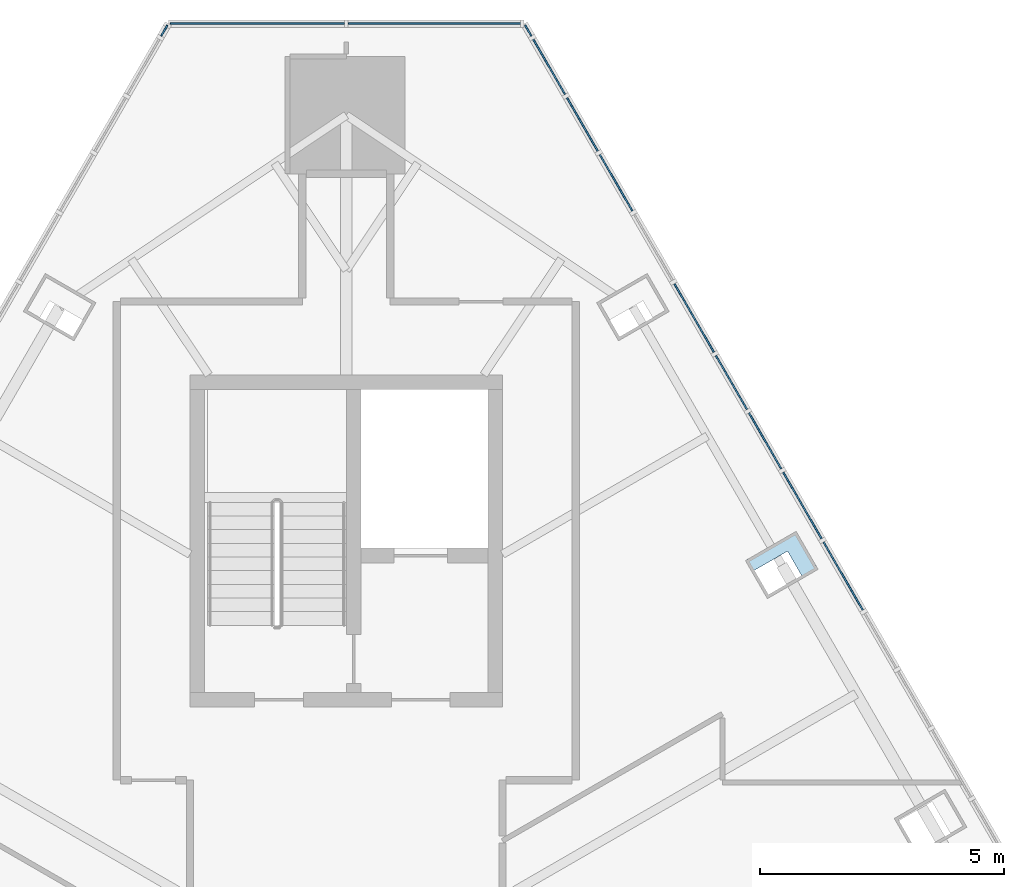
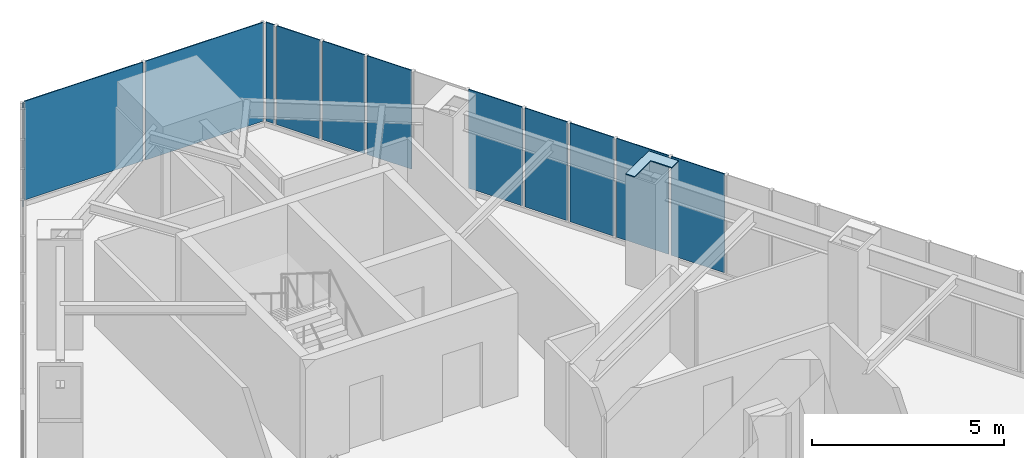
# One storey, part 14 of 20: 13 plates, 3 elements without a shape of their own.
"""IFC4 building model written with IfcOpenShell, lengths in metres."""

from ifc_helpers import new_model, si_unit, direction, frame, origin, place, context, subcontext, project, spatial, polyline, outline, extrude, material, layer, layer_set, type_object, element, aggregate, save


model = new_model("IFC4")

# Units and contexts
model_context = context("Model", 3, precision=1e-05, world=origin(), true_north=direction((0.0, 1.0)))
body_context = subcontext(model_context, "Body", "Model", "MODEL_VIEW")
ifc_project = project(units=[si_unit("LENGTHUNIT", "METRE"), si_unit("AREAUNIT", "SQUARE_METRE"), si_unit("VOLUMEUNIT", "CUBIC_METRE"), si_unit("PLANEANGLEUNIT", "RADIAN"), si_unit("MASSUNIT", "GRAM", prefix="KILO")], contexts=[model_context])

# Site, building, storey
site_placement = place(None, origin())
site = spatial("IfcSite", under=ifc_project, at=site_placement, CompositionType="ELEMENT")
building_placement = place(site_placement, origin())
building = spatial("IfcBuilding", under=site, at=building_placement, Name="Firuza Gate Tower and Library", CompositionType="ELEMENT")
storey_placement = place(building_placement, frame((0.0, 0.0, 305.60009765625)))
storey = spatial("IfcBuildingStorey", under=building, at=storey_placement, Name="L74", CompositionType="ELEMENT", Elevation=305.60009765625)

# Plate
ifc_material_1 = material(Name="Steel S355", Category="steel")
ifc_layer_1 = layer(ifc_material_1, 0.030029296875)
ifc_layer_set_1 = layer_set([ifc_layer_1], Name="Column infill plate 30 Steel S355")
plate_type_1 = type_object("IfcPlateType", Name="Column infill plate 30 Steel S355", PredefinedType="SHEET", material=ifc_layer_set_1)
plate_1_placement = place(storey_placement, frame((0.0, 0.0, 3.5)))
element("IfcPlate", 1, at=plate_1_placement, inside=storey, type_object=plate_type_1, Name="Infill plate L74:E5", PredefinedType="SHEET", context=body_context, shape_type="SweptSolid", body=[
    extrude(outline(polyline([(83.171875, 90.79638671875), (83.303955078125, 90.567626953125), (84.03515625, 90.98974609375), (84.353271484375, 90.43896484375), (84.6611328125, 90.616943359375), (84.211181640625, 91.396240234375), (83.171875, 90.79638671875)])), origin(), (0.0, 0.0, 1.0), 0.02978515625),
])

# Curtain wall, plates
ifc_material_2 = material(Name="Aluminium 6063-T6", Category="aluminium")
ifc_layer_2 = layer(ifc_material_2, 0.14990234375)
ifc_layer_set_2 = layer_set([ifc_layer_2], Name="Corner curtain wall, chamfers")
curtain_wall_type_1 = type_object("IfcCurtainWallType", Name="Corner curtain wall, chamfers", PredefinedType="NOTDEFINED", material=ifc_layer_set_2)
placement = place(storey_placement, origin())
curtain_wall_1 = element("IfcCurtainWall", 2, at=placement, inside=storey, type_object=curtain_wall_type_1, Name="CW4 L74 N corner", PredefinedType="NOTDEFINED")
ifc_material_3 = material(Name="Fritted glass", Category="glass")
ifc_layer_3 = layer(ifc_material_3, 0.030029296875)
ifc_layer_set_3 = layer_set([ifc_layer_3], Name="Fritted glass unit, corners")
plate_type_2 = type_object("IfcPlateType", Name="Fritted glass unit, corners", PredefinedType="CURTAIN_PANEL", material=ifc_layer_set_3)
plate_2_placement = place(storey_placement, frame((78.603271484375, 101.80517578125, 0.14990234375), z_axis=(0.0, 1.0, 0.0), x_axis=(-1.0, 0.0, 0.0)))
plate_2 = element("IfcPlate", 3, at=plate_2_placement, type_object=plate_type_2, Name="Glass unit", PredefinedType="CURTAIN_PANEL", context=body_context, shape_type="SweptSolid", body=[
    extrude(outline(polyline([(0.0, 0.0), (3.563232421875, 0.0), (3.563232421875, 3.14990234375), (0.0, 3.14990234375), (0.0, 0.0)])), origin(), (0.0, 0.0, -1.0), 0.030029296875),
])
plate_3_placement = place(storey_placement, frame((74.9599609375, 101.80517578125, 0.14990234375), z_axis=(0.0, 1.0, 0.0), x_axis=(-1.0, 0.0, 0.0)))
plate_3 = element("IfcPlate", 4, at=plate_3_placement, type_object=plate_type_2, Name="Glass unit", PredefinedType="CURTAIN_PANEL", context=body_context, shape_type="SweptSolid", body=[
    extrude(outline(polyline([(0.0, 0.0), (3.563232421875, 0.0), (3.563232421875, 3.14990234375), (0.0, 3.14990234375), (0.0, 0.0)])), origin(), (0.0, 0.0, -1.0), 0.030029296875),
])
aggregate(curtain_wall_1, [plate_2, plate_3])

ifc_material_4 = material(Name="Aluminium 6063-T6", Category="aluminium")
ifc_layer_4 = layer(ifc_material_4, 0.14990234375)
ifc_layer_set_4 = layer_set([ifc_layer_4], Name="Unitised curtain wall, residences")
curtain_wall_type_2 = type_object("IfcCurtainWallType", Name="Unitised curtain wall, residences", PredefinedType="NOTDEFINED", material=ifc_layer_set_4)
curtain_wall_2 = element("IfcCurtainWall", 5, at=placement, inside=storey, type_object=curtain_wall_type_2, Name="CW3 L74 E face", PredefinedType="NOTDEFINED")
ifc_material_5 = material(Name="Fritted glass", Category="glass")
ifc_layer_5 = layer(ifc_material_5, 0.030029296875)
ifc_layer_set_5 = layer_set([ifc_layer_5], Name="Fritted glass unit, residences")
plate_type_3 = type_object("IfcPlateType", Name="Fritted glass unit, residences", PredefinedType="CURTAIN_PANEL", material=ifc_layer_set_5)
plate_4_placement = place(storey_placement, frame((85.588623046875, 89.79052734375, 0.14990234375), z_axis=(0.866038942563, 0.499976549414, 0.0), x_axis=(-0.499976549414, 0.866038942563, 0.0)))
plate_4 = element("IfcPlate", 6, at=plate_4_placement, type_object=plate_type_3, Name="Glass unit", PredefinedType="CURTAIN_PANEL", context=body_context, shape_type="SweptSolid", body=[
    extrude(outline(polyline([(0.0, 0.0), (1.6079855726565118, 0.0), (1.6079855726565118, 3.14990234375), (0.0, 3.14990234375), (0.0, 0.0)])), origin(), (0.0, 0.0, -1.0), 0.030029296875),
])
plate_5_placement = place(storey_placement, frame((84.74462890625, 91.252197265625, 0.14990234375), z_axis=(0.866025114386, 0.500000501253, 0.0), x_axis=(-0.500000501253, 0.866025114386, 0.0)))
plate_5 = element("IfcPlate", 7, at=plate_5_placement, type_object=plate_type_3, Name="Glass unit", PredefinedType="CURTAIN_PANEL", context=body_context, shape_type="SweptSolid", body=[
    extrude(outline(polyline([(0.0, 0.0), (1.5707992065156178, 0.0), (1.5707992065156178, 3.14990234375), (0.0, 3.14990234375), (0.0, 0.0)])), origin(), (0.0, 0.0, -1.0), 0.030029296875),
])
plate_6_placement = place(storey_placement, frame((82.54052734375, 95.06982421875, 0.14990234375), z_axis=(0.866027491634, 0.499996383721, 0.0), x_axis=(-0.499996383721, 0.866027491634, 0.0)))
plate_6 = element("IfcPlate", 8, at=plate_6_placement, type_object=plate_type_3, Name="Glass unit", PredefinedType="CURTAIN_PANEL", context=body_context, shape_type="SweptSolid", body=[
    extrude(outline(polyline([(0.0, 0.0), (1.6201289051774963, 0.0), (1.6201289051774963, 3.14990234375), (0.0, 3.14990234375), (0.0, 0.0)])), origin(), (0.0, 0.0, -1.0), 0.030029296875),
])
plate_7_placement = place(storey_placement, frame((79.49267578125, 100.34912109375, 0.14990234375), z_axis=(0.865995042048, 0.500052584384, 0.0), x_axis=(-0.500052584384, 0.865995042048, 0.0)))
plate_7 = element("IfcPlate", 9, at=plate_7_placement, type_object=plate_type_3, Name="Glass unit", PredefinedType="CURTAIN_PANEL", context=body_context, shape_type="SweptSolid", body=[
    extrude(outline(polyline([(0.0, 0.0), (1.3016209226321132, 0.0), (1.3016209226321132, 3.14990234375), (0.0, 3.14990234375), (0.0, 0.0)])), origin(), (0.0, 0.0, -1.0), 0.030029296875),
])
ifc_material_6 = material(Name="Glazed ceramic tile")
ifc_layer_6 = layer(ifc_material_6, 0.030029296875)
ifc_layer_set_6 = layer_set([ifc_layer_6], Name="Opaque ceramic panel, residences")
plate_type_4 = type_object("IfcPlateType", Name="Opaque ceramic panel, residences", PredefinedType="CURTAIN_PANEL", material=ifc_layer_set_6)
plate_8_placement = place(storey_placement, frame((83.919189453125, 92.681884765625, 0.14990234375), z_axis=(0.866078079006, 0.499908752739, 0.0), x_axis=(-0.499908752739, 0.866078079006, 0.0)))
plate_8 = element("IfcPlate", 10, at=plate_8_placement, type_object=plate_type_4, Name="Opaque ceramic panel", PredefinedType="CURTAIN_PANEL", context=body_context, shape_type="SweptSolid", body=[
    extrude(outline(polyline([(0.0, 0.0), (1.3234837160294044, 0.0), (1.3234837160294044, 3.14990234375), (0.0, 3.14990234375), (0.0, 0.0)])), origin(), (0.0, 0.0, -1.0), 0.030029296875),
])
plate_9_placement = place(storey_placement, frame((83.217529296875, 93.897216796875, 0.14990234375), z_axis=(0.866029209911, 0.499993407537, 0.0), x_axis=(-0.499993407537, 0.866029209911, 0.0)))
plate_9 = element("IfcPlate", 11, at=plate_9_placement, type_object=plate_type_4, Name="Opaque ceramic panel", PredefinedType="CURTAIN_PANEL", context=body_context, shape_type="SweptSolid", body=[
    extrude(outline(polyline([(0.0, 0.0), (1.2739425780891271, 0.0), (1.2739425780891271, 3.149902343750001), (0.0, 3.149902343750001), (0.0, 0.0)])), origin(), (0.0, 0.0, -1.0), 0.030029296875),
])
plate_10_placement = place(storey_placement, frame((80.871337890625, 97.961181640625, 0.14990234375), z_axis=(0.865984687501, 0.500070516041, 0.0), x_axis=(-0.500070516041, 0.865984687501, 0.0)))
plate_10 = element("IfcPlate", 12, at=plate_10_placement, type_object=plate_type_4, Name="Opaque ceramic panel", PredefinedType="CURTAIN_PANEL", context=body_context, shape_type="SweptSolid", body=[
    extrude(outline(polyline([(0.0, 0.0), (1.335749116520676, 0.0), (1.335749116520676, 3.14990234375), (0.0, 3.14990234375), (0.0, 0.0)])), origin(), (0.0, 0.0, -1.0), 0.030029296875),
])
plate_11_placement = place(storey_placement, frame((80.163330078125, 99.187255859375, 0.14990234375), z_axis=(0.86607923909, 0.499906742921, 0.0), x_axis=(-0.499906742921, 0.86607923909, 0.0)))
plate_11 = element("IfcPlate", 13, at=plate_11_placement, type_object=plate_type_4, Name="Opaque ceramic panel", PredefinedType="CURTAIN_PANEL", context=body_context, shape_type="SweptSolid", body=[
    extrude(outline(polyline([(0.0, 0.0), (1.2614657499734259, 0.0), (1.2614657499734259, 3.14990234375), (0.0, 3.14990234375), (0.0, 0.0)])), origin(), (0.0, 0.0, -1.0), 0.030029296875),
])
plate_12_placement = place(storey_placement, frame((78.802001953125, 101.54541015625, 0.14990234375), z_axis=(0.865780878536, 0.500423291185, 0.0), x_axis=(-0.500423291185, 0.865780878536, 0.0)))
plate_12 = element("IfcPlate", 14, at=plate_12_placement, type_object=plate_type_4, Name="Opaque ceramic panel", PredefinedType="CURTAIN_PANEL", context=body_context, shape_type="SweptSolid", body=[
    extrude(outline(polyline([(0.0, 0.0), (0.2512521381192305, 0.0), (0.2512521381192305, 3.14990234375), (0.0, 3.14990234375), (0.0, 0.0)])), origin(), (0.0, 0.0, -1.0), 0.030029296875),
])
aggregate(curtain_wall_2, [plate_4, plate_5, plate_8, plate_9, plate_6, plate_10, plate_11, plate_7, plate_12])

# Curtain wall, plate
curtain_wall_3 = element("IfcCurtainWall", 15, at=placement, inside=storey, type_object=curtain_wall_type_2, Name="CW3 L74 W face", PredefinedType="NOTDEFINED")
plate_13_placement = place(storey_placement, frame((71.32373046875, 101.762939453125, 0.14990234375), z_axis=(-0.865780878536, 0.500423291185, 0.0), x_axis=(-0.500423291185, -0.865780878536, 0.0)))
plate_13 = element("IfcPlate", 16, at=plate_13_placement, type_object=plate_type_4, Name="Opaque ceramic panel", PredefinedType="CURTAIN_PANEL", context=body_context, shape_type="SweptSolid", body=[
    extrude(outline(polyline([(0.0, 0.0), (0.2512521381192305, 0.0), (0.2512521381192305, 3.14990234375), (0.0, 3.14990234375), (0.0, 0.0)])), origin(), (0.0, 0.0, -1.0), 0.030029296875),
])
aggregate(curtain_wall_3, [plate_13])

save(model, "model.ifc")
